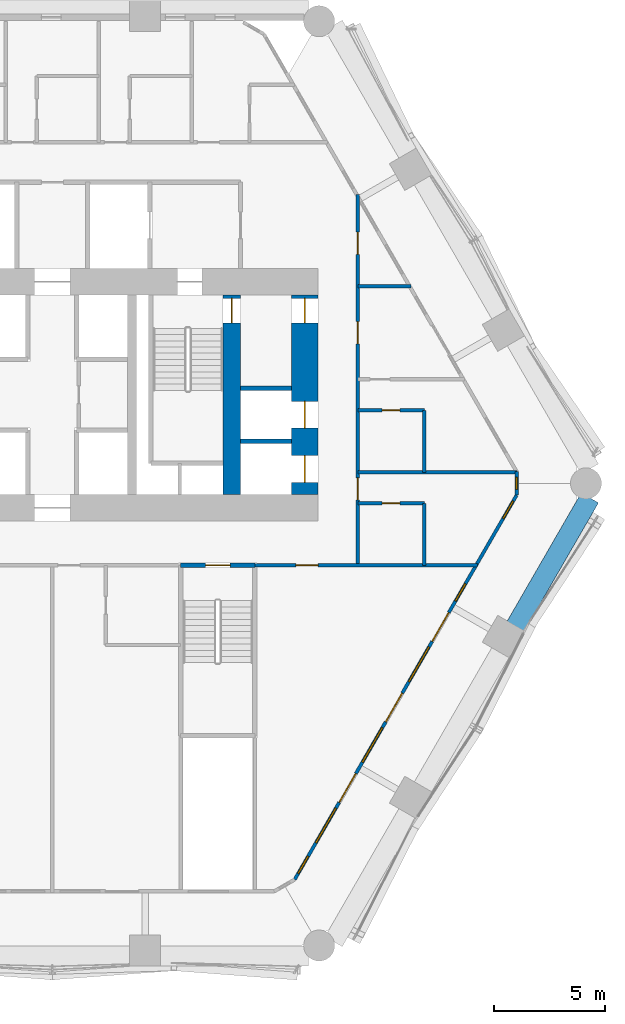
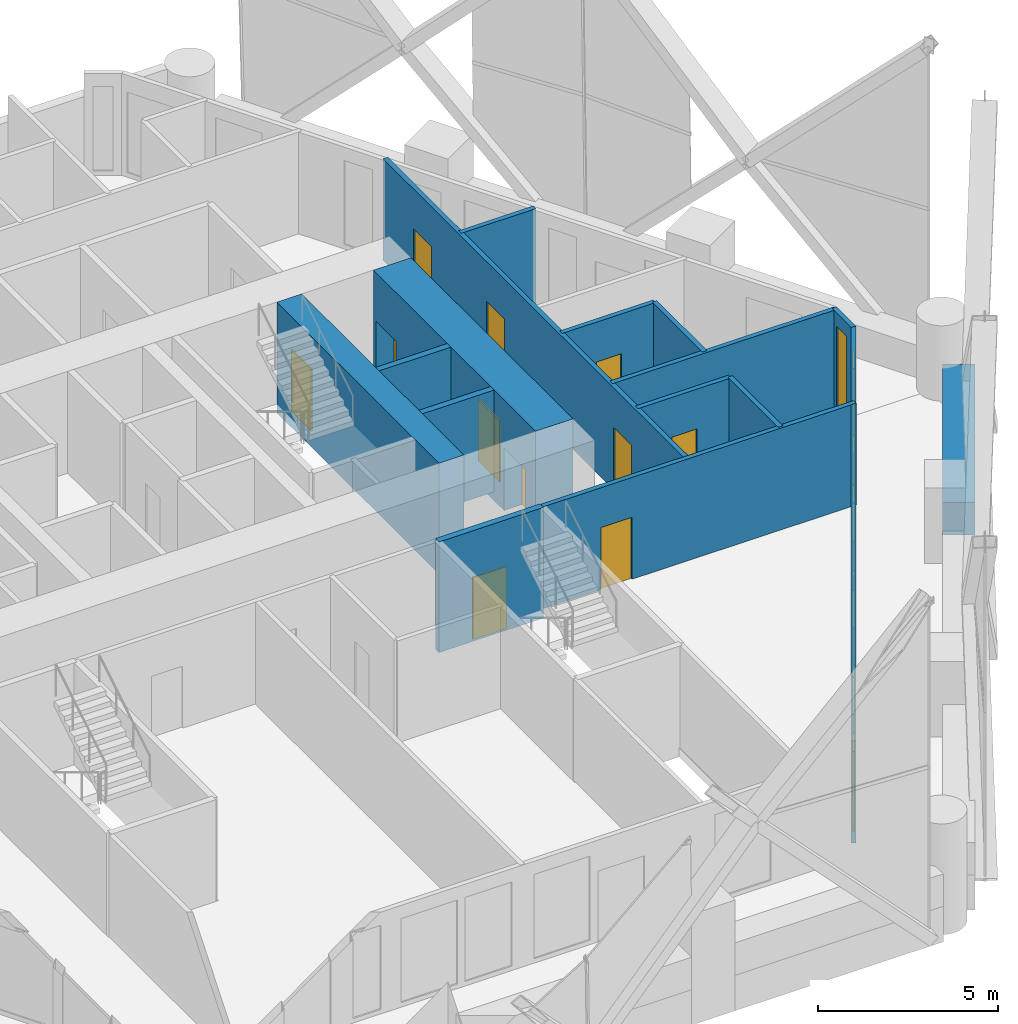
# One storey, part 13 of 22: 16 walls, 14 doors, 7 windows, 21 openings.
"""IFC4 building model written with IfcOpenShell, lengths in metres."""

from ifc_helpers import new_model, si_unit, direction, frame, frame_2d, origin, place, context, subcontext, project, spatial, rectangle, extrude, material, layer, layer_set, type_object, element, fill, save


model = new_model("IFC4")

# Units and contexts
model_context = context("Model", 3, precision=1e-05, world=origin(), true_north=direction((0.0, 1.0)))
body_context = subcontext(model_context, "Body", "Model", "MODEL_VIEW")
ifc_project = project(units=[si_unit("LENGTHUNIT", "METRE"), si_unit("AREAUNIT", "SQUARE_METRE"), si_unit("VOLUMEUNIT", "CUBIC_METRE"), si_unit("PLANEANGLEUNIT", "RADIAN"), si_unit("MASSUNIT", "GRAM", prefix="KILO")], contexts=[model_context])

# Site, building, storey
site_placement = place(None, origin())
site = spatial("IfcSite", under=ifc_project, at=site_placement, CompositionType="ELEMENT")
building_placement = place(site_placement, origin())
building = spatial("IfcBuilding", under=site, at=building_placement, Name="Ostrander Bayou Hotel Tower", CompositionType="ELEMENT")
storey_placement = place(building_placement, frame((0.0, 0.0, 35.5)))
storey = spatial("IfcBuildingStorey", under=building, at=storey_placement, Name="L08", CompositionType="ELEMENT", Elevation=35.5)

# Wall, openings, doors
ifc_material_1 = material(Name="Concrete f'c 70 MPa", Category="concrete")
ifc_layer_1 = layer(ifc_material_1, 1.199951171875)
ifc_layer_set_1 = layer_set([ifc_layer_1], Name="CW1 core wall 1200 mm f'c 70 MPa")
wall_type_1 = type_object("IfcWallType", Name="CW1 core wall 1200 mm f'c 70 MPa", PredefinedType="SHEAR", material=ifc_layer_set_1)
wall_1_placement = place(storey_placement, frame((11.39990234375, -0.5, -0.300048828125), z_axis=(0.0, 0.0, 1.0), x_axis=(0.0, 1.0, 0.0)))
wall_1 = element("IfcWall", 1, at=wall_1_placement, inside=storey, type_object=wall_type_1, Name="CW1 L08 RE", PredefinedType="SHEAR", context=body_context, shape_type="SweptSolid", body=[
    extrude(rectangle(XDim=9.0, YDim=1.199951171875, at=frame_2d((4.5, 0.0))), origin(), (0.0, 0.0, 1.0), 3.75),
])
opening_1_placement = place(wall_1_placement, frame((7.75, 0.0, 0.0)))
opening_1 = element("IfcOpeningElement", 2, at=opening_1_placement, cuts=wall_1, Name="Opening T06-018", PredefinedType="OPENING", context=body_context, shape_type="SweptSolid", body=[
    extrude(rectangle(XDim=1.10009765625, YDim=2.10009765625, at=frame_2d((0.550048828125, 1.050048828125))), frame((0.0, 0.60009765625, 0.0), z_axis=(0.0, -1.0, 0.0), x_axis=(1.0, 0.0, 0.0)), (0.0, 0.0, 1.0), 1.199951171875),
])
opening_2_placement = place(wall_1_placement, frame((0.550048828125, 0.0, 0.0)))
opening_2 = element("IfcOpeningElement", 3, at=opening_2_placement, cuts=wall_1, Name="Opening T06-019", PredefinedType="OPENING", context=body_context, shape_type="SweptSolid", body=[
    extrude(rectangle(XDim=1.199951171875, YDim=2.10009765625, at=frame_2d((0.60009765625, 1.050048828125))), frame((0.0, 0.60009765625, 0.0), z_axis=(0.0, -1.0, 0.0), x_axis=(1.0, 0.0, 0.0)), (0.0, 0.0, 1.0), 1.199951171875),
])
opening_3_placement = place(wall_1_placement, frame((3.0, 0.0, 0.0)))
opening_3 = element("IfcOpeningElement", 4, at=opening_3_placement, cuts=wall_1, Name="Opening T06-020", PredefinedType="OPENING", context=body_context, shape_type="SweptSolid", body=[
    extrude(rectangle(XDim=1.199951171875, YDim=2.10009765625, at=frame_2d((0.60009765625, 1.050048828125))), frame((0.0, 0.60009765625, 0.0), z_axis=(0.0, -1.0, 0.0), x_axis=(1.0, 0.0, 0.0)), (0.0, 0.0, 1.0), 1.199951171875),
])
ifc_material_2 = material(Name="Timber door leaf", Category="wood")
door_type_1 = type_object("IfcDoorType", Name="D5 stair door 1100 x 2100 mm, 90 minute", OperationType="SINGLE_SWING_LEFT", PredefinedType="DOOR", material=ifc_material_2)
door_1_placement = place(opening_1_placement, origin())
door_1 = element("IfcDoor", 5, at=door_1_placement, inside=storey, type_object=door_type_1, Name="dr:L08:018", OperationType="SINGLE_SWING_RIGHT", OverallHeight=2.10009765625, OverallWidth=1.10009765625, PredefinedType="DOOR", context=body_context, shape_type="SweptSolid", body=[
    extrude(rectangle(XDim=1.10009765625, YDim=2.10009765625, at=frame_2d((0.550048828125, 1.050048828125))), frame((0.0, 0.02490234375, 0.0), z_axis=(0.0, -1.0, 0.0), x_axis=(1.0, 0.0, 0.0)), (0.0, 0.0, 1.0), 0.050048828125),
])
fill(opening_1, door_1)
ifc_material_3 = material(Name="Stainless steel sliding door", Category="steel")
door_type_2 = type_object("IfcDoorType", Name="LD1 lift landing door 1200 x 2100 mm", OperationType="SINGLE_SWING_LEFT", PredefinedType="DOOR", material=ifc_material_3)
door_2_placement = place(opening_2_placement, origin())
door_2 = element("IfcDoor", 6, at=door_2_placement, inside=storey, type_object=door_type_2, Name="dr:L08:019", OperationType="SLIDING_TO_LEFT", OverallHeight=2.10009765625, OverallWidth=1.199951171875, PredefinedType="DOOR", context=body_context, shape_type="SweptSolid", body=[
    extrude(rectangle(XDim=1.199951171875, YDim=2.10009765625, at=frame_2d((0.60009765625, 1.050048828125))), frame((0.0, 0.02490234375, 0.0), z_axis=(0.0, -1.0, 0.0), x_axis=(1.0, 0.0, 0.0)), (0.0, 0.0, 1.0), 0.050048828125),
])
fill(opening_2, door_2)
door_3_placement = place(opening_3_placement, origin())
door_3 = element("IfcDoor", 7, at=door_3_placement, inside=storey, type_object=door_type_2, Name="dr:L08:020", OperationType="SLIDING_TO_LEFT", OverallHeight=2.10009765625, OverallWidth=1.199951171875, PredefinedType="DOOR", context=body_context, shape_type="SweptSolid", body=[
    extrude(rectangle(XDim=1.199951171875, YDim=2.10009765625, at=frame_2d((0.60009765625, 1.050048828125))), frame((0.0, 0.02490234375, 0.0), z_axis=(0.0, -1.0, 0.0), x_axis=(1.0, 0.0, 0.0)), (0.0, 0.0, 1.0), 0.050048828125),
])
fill(opening_3, door_3)

# Wall, opening, door
ifc_material_4 = material(Name="Concrete f'c 70 MPa", Category="concrete")
ifc_layer_2 = layer(ifc_material_4, 0.800048828125)
ifc_layer_set_2 = layer_set([ifc_layer_2], Name="CW2 core spine wall 800 mm f'c 70 MPa")
wall_type_2 = type_object("IfcWallType", Name="CW2 core spine wall 800 mm f'c 70 MPa", PredefinedType="SHEAR", material=ifc_layer_set_2)
wall_2_placement = place(storey_placement, frame((8.10009765625, -0.5, -0.300048828125), z_axis=(0.0, 0.0, 1.0), x_axis=(0.0, 1.0, 0.0)))
wall_2 = element("IfcWall", 8, at=wall_2_placement, inside=storey, type_object=wall_type_2, Name="CW2 L08 E", PredefinedType="SHEAR", context=body_context, shape_type="SweptSolid", body=[
    extrude(rectangle(XDim=9.0, YDim=0.800048828125, at=frame_2d((4.5, 0.0))), origin(), (0.0, 0.0, 1.0), 3.75),
])
opening_4_placement = place(wall_2_placement, frame((7.75, 0.0, 0.0)))
opening_4 = element("IfcOpeningElement", 9, at=opening_4_placement, cuts=wall_2, Name="Opening T06-006", PredefinedType="OPENING", context=body_context, shape_type="SweptSolid", body=[
    extrude(rectangle(XDim=1.10009765625, YDim=2.10009765625, at=frame_2d((0.550048828125, 1.050048828125))), frame((0.0, 0.39990234375, 0.0), z_axis=(0.0, -1.0, 0.0), x_axis=(1.0, 0.0, 0.0)), (0.0, 0.0, 1.0), 0.800048828125),
])
door_4_placement = place(opening_4_placement, origin())
door_4 = element("IfcDoor", 10, at=door_4_placement, inside=storey, type_object=door_type_1, Name="dr:L08:006", OperationType="SINGLE_SWING_LEFT", OverallHeight=2.10009765625, OverallWidth=1.10009765625, PredefinedType="DOOR", context=body_context, shape_type="SweptSolid", body=[
    extrude(rectangle(XDim=1.10009765625, YDim=2.10009765625, at=frame_2d((0.550048828125, 1.050048828125))), frame((0.0, 0.02490234375, 0.0), z_axis=(0.0, -1.0, 0.0), x_axis=(1.0, 0.0, 0.0)), (0.0, 0.0, 1.0), 0.050048828125),
])
fill(opening_4, door_4)

# Wall, openings, doors, windows
ifc_material_5 = material(Name="Aluminium framed insulated wall", Category="aluminium")
ifc_layer_3 = layer(ifc_material_5, 0.14990234375)
ifc_layer_set_3 = layer_set([ifc_layer_3], Name="GW1 glass-line wall 150 mm")
wall_type_3 = type_object("IfcWallType", Name="GW1 glass-line wall 150 mm", PredefinedType="SOLIDWALL", material=ifc_layer_set_3)
wall_3_placement = place(storey_placement, frame((10.945068359375, -17.892578125, 0.0), z_axis=(0.0, 0.0, 1.0), x_axis=(0.500003237297, 0.866023534722, 0.0)))
wall_3 = element("IfcWall", 11, at=wall_3_placement, inside=storey, type_object=wall_type_3, Name="GW1 L08 SE 1", PredefinedType="SOLIDWALL", context=body_context, shape_type="SweptSolid", body=[
    extrude(rectangle(XDim=20.045654296875, YDim=0.14990234375, at=frame_2d((10.02294921875, 0.0))), origin(), (0.0, 0.0, 1.0), 3.449951171875),
])
opening_5_placement = place(wall_3_placement, frame((1.9228515625, 0.0, 0.14990234375)))
opening_5 = element("IfcOpeningElement", 12, at=opening_5_placement, cuts=wall_3, Name="Opening W1", PredefinedType="OPENING", context=body_context, shape_type="SweptSolid", body=[
    extrude(rectangle(XDim=1.800048828125, YDim=2.85009765625, at=frame_2d((0.89990234375, 1.425048828125))), frame((0.0, 0.074951171875, 0.0), z_axis=(0.0, -1.0, 0.0), x_axis=(1.0, 0.0, 0.0)), (0.0, 0.0, 1.0), 0.14990234375),
])
opening_6_placement = place(wall_3_placement, frame((4.022705078125, 0.0, 0.0)))
opening_6 = element("IfcOpeningElement", 13, at=opening_6_placement, cuts=wall_3, Name="Opening T06-805", PredefinedType="OPENING", context=body_context, shape_type="SweptSolid", body=[
    extrude(rectangle(XDim=1.5, YDim=2.39990234375, at=frame_2d((0.75, 1.199951171875))), frame((0.0, 0.074951171875, 0.0), z_axis=(0.0, -1.0, 0.0), x_axis=(1.0, 0.0, 0.0)), (0.0, 0.0, 1.0), 0.14990234375),
])
opening_7_placement = place(wall_3_placement, frame((6.122802734375, 0.0, 0.14990234375)))
opening_7 = element("IfcOpeningElement", 14, at=opening_7_placement, cuts=wall_3, Name="Opening W1", PredefinedType="OPENING", context=body_context, shape_type="SweptSolid", body=[
    extrude(rectangle(XDim=1.800048828125, YDim=2.85009765625, at=frame_2d((0.89990234375, 1.425048828125))), frame((0.0, 0.074951171875, 0.0), z_axis=(0.0, -1.0, 0.0), x_axis=(1.0, 0.0, 0.0)), (0.0, 0.0, 1.0), 0.14990234375),
])
opening_8_placement = place(wall_3_placement, frame((8.222900390625, 0.0, 0.0)))
opening_8 = element("IfcOpeningElement", 15, at=opening_8_placement, cuts=wall_3, Name="Opening T06-806", PredefinedType="OPENING", context=body_context, shape_type="SweptSolid", body=[
    extrude(rectangle(XDim=1.5, YDim=2.39990234375, at=frame_2d((0.75, 1.199951171875))), frame((0.0, 0.074951171875, 0.0), z_axis=(0.0, -1.0, 0.0), x_axis=(1.0, 0.0, 0.0)), (0.0, 0.0, 1.0), 0.14990234375),
])
opening_9_placement = place(wall_3_placement, frame((10.32275390625, 0.0, 0.14990234375)))
opening_9 = element("IfcOpeningElement", 16, at=opening_9_placement, cuts=wall_3, Name="Opening W1", PredefinedType="OPENING", context=body_context, shape_type="SweptSolid", body=[
    extrude(rectangle(XDim=1.800048828125, YDim=2.85009765625, at=frame_2d((0.89990234375, 1.425048828125))), frame((0.0, 0.074951171875, 0.0), z_axis=(0.0, -1.0, 0.0), x_axis=(1.0, 0.0, 0.0)), (0.0, 0.0, 1.0), 0.14990234375),
])
opening_10_placement = place(wall_3_placement, frame((12.4228515625, 0.0, 0.0)))
opening_10 = element("IfcOpeningElement", 17, at=opening_10_placement, cuts=wall_3, Name="Opening T06-807", PredefinedType="OPENING", context=body_context, shape_type="SweptSolid", body=[
    extrude(rectangle(XDim=1.5, YDim=2.39990234375, at=frame_2d((0.75, 1.199951171875))), frame((0.0, 0.074951171875, 0.0), z_axis=(0.0, -1.0, 0.0), x_axis=(1.0, 0.0, 0.0)), (0.0, 0.0, 1.0), 0.14990234375),
])
opening_11_placement = place(wall_3_placement, frame((14.522705078125, 0.0, 0.14990234375)))
opening_11 = element("IfcOpeningElement", 18, at=opening_11_placement, cuts=wall_3, Name="Opening W15", PredefinedType="OPENING", context=body_context, shape_type="SweptSolid", body=[
    extrude(rectangle(XDim=0.89990234375, YDim=2.85009765625, at=frame_2d((0.449951171875, 1.425048828125))), frame((0.0, 0.074951171875, 0.0), z_axis=(0.0, -1.0, 0.0), x_axis=(1.0, 0.0, 0.0)), (0.0, 0.0, 1.0), 0.14990234375),
])
opening_12_placement = place(wall_3_placement, frame((0.311279296875, 0.0, 0.14990234375)))
opening_12 = element("IfcOpeningElement", 19, at=opening_12_placement, cuts=wall_3, Name="Opening W15", PredefinedType="OPENING", context=body_context, shape_type="SweptSolid", body=[
    extrude(rectangle(XDim=0.89990234375, YDim=2.72998046875, at=frame_2d((0.449951171875, 1.364990234375))), frame((0.0, 0.074951171875, 0.0), z_axis=(0.0, -1.0, 0.0), x_axis=(1.0, 0.0, 0.0)), (0.0, 0.0, 1.0), 0.14990234375),
])
opening_13_placement = place(wall_3_placement, frame((18.834228515625, 0.0, 0.14990234375)))
opening_13 = element("IfcOpeningElement", 20, at=opening_13_placement, cuts=wall_3, Name="Opening W15", PredefinedType="OPENING", context=body_context, shape_type="SweptSolid", body=[
    extrude(rectangle(XDim=0.89990234375, YDim=2.72998046875, at=frame_2d((0.449951171875, 1.364990234375))), frame((0.0, 0.074951171875, 0.0), z_axis=(0.0, -1.0, 0.0), x_axis=(1.0, 0.0, 0.0)), (0.0, 0.0, 1.0), 0.14990234375),
])
ifc_material_6 = material(Name="Aluminium and clear glass", Category="aluminium")
door_type_3 = type_object("IfcDoorType", Name="SD1 sliding glass door 1500 mm, zone 1", OperationType="SLIDING_TO_LEFT", PredefinedType="DOOR", material=ifc_material_6)
door_5_placement = place(opening_6_placement, origin())
door_5 = element("IfcDoor", 21, at=door_5_placement, inside=storey, type_object=door_type_3, Name="SD1 L08 SE 1", OperationType="SLIDING_TO_LEFT", OverallHeight=2.39990234375, OverallWidth=1.5, PredefinedType="DOOR", context=body_context, shape_type="SweptSolid", body=[
    extrude(rectangle(XDim=1.5, YDim=2.39990234375, at=frame_2d((0.75, 1.199951171875))), frame((0.0, 0.02490234375, 0.0), z_axis=(0.0, -1.0, 0.0), x_axis=(1.0, 0.0, 0.0)), (0.0, 0.0, 1.0), 0.050048828125),
])
fill(opening_6, door_5)
door_6_placement = place(opening_8_placement, origin())
door_6 = element("IfcDoor", 22, at=door_6_placement, inside=storey, type_object=door_type_3, Name="SD1 L08 SE 2", OperationType="SLIDING_TO_RIGHT", OverallHeight=2.39990234375, OverallWidth=1.5, PredefinedType="DOOR", context=body_context, shape_type="SweptSolid", body=[
    extrude(rectangle(XDim=1.5, YDim=2.39990234375, at=frame_2d((0.75, 1.199951171875))), frame((0.0, 0.02490234375, 0.0), z_axis=(0.0, -1.0, 0.0), x_axis=(1.0, 0.0, 0.0)), (0.0, 0.0, 1.0), 0.050048828125),
])
fill(opening_8, door_6)
door_7_placement = place(opening_10_placement, origin())
door_7 = element("IfcDoor", 23, at=door_7_placement, inside=storey, type_object=door_type_3, Name="SD1 L08 SE 3", OperationType="SLIDING_TO_LEFT", OverallHeight=2.39990234375, OverallWidth=1.5, PredefinedType="DOOR", context=body_context, shape_type="SweptSolid", body=[
    extrude(rectangle(XDim=1.5, YDim=2.39990234375, at=frame_2d((0.75, 1.199951171875))), frame((0.0, 0.02490234375, 0.0), z_axis=(0.0, -1.0, 0.0), x_axis=(1.0, 0.0, 0.0)), (0.0, 0.0, 1.0), 0.050048828125),
])
fill(opening_10, door_7)
ifc_material_7 = material(Name="Aluminium and clear glass", Category="aluminium")
window_type_1 = type_object("IfcWindowType", Name="W1 fixed window 1800 mm, zone 1", PartitioningType="SINGLE_PANEL", PredefinedType="WINDOW", material=ifc_material_7)
window_1_placement = place(opening_5_placement, origin())
window_1 = element("IfcWindow", 24, at=window_1_placement, inside=storey, type_object=window_type_1, Name="W1 L08 SE 1", OverallHeight=2.85009765625, OverallWidth=1.800048828125, PartitioningType="SINGLE_PANEL", PredefinedType="WINDOW", context=body_context, shape_type="SweptSolid", body=[
    extrude(rectangle(XDim=1.800048828125, YDim=2.85009765625, at=frame_2d((0.89990234375, 1.425048828125))), frame((0.0, 0.030029296875, 0.0), z_axis=(0.0, -1.0, 0.0), x_axis=(1.0, 0.0, 0.0)), (0.0, 0.0, 1.0), 0.06005859375),
])
fill(opening_5, window_1)
window_2_placement = place(opening_7_placement, origin())
window_2 = element("IfcWindow", 25, at=window_2_placement, inside=storey, type_object=window_type_1, Name="W1 L08 SE 2", OverallHeight=2.85009765625, OverallWidth=1.800048828125, PartitioningType="SINGLE_PANEL", PredefinedType="WINDOW", context=body_context, shape_type="SweptSolid", body=[
    extrude(rectangle(XDim=1.800048828125, YDim=2.85009765625, at=frame_2d((0.89990234375, 1.425048828125))), frame((0.0, 0.030029296875, 0.0), z_axis=(0.0, -1.0, 0.0), x_axis=(1.0, 0.0, 0.0)), (0.0, 0.0, 1.0), 0.06005859375),
])
fill(opening_7, window_2)
window_3_placement = place(opening_9_placement, origin())
window_3 = element("IfcWindow", 26, at=window_3_placement, inside=storey, type_object=window_type_1, Name="W1 L08 SE 3", OverallHeight=2.85009765625, OverallWidth=1.800048828125, PartitioningType="SINGLE_PANEL", PredefinedType="WINDOW", context=body_context, shape_type="SweptSolid", body=[
    extrude(rectangle(XDim=1.800048828125, YDim=2.85009765625, at=frame_2d((0.89990234375, 1.425048828125))), frame((0.0, 0.030029296875, 0.0), z_axis=(0.0, -1.0, 0.0), x_axis=(1.0, 0.0, 0.0)), (0.0, 0.0, 1.0), 0.06005859375),
])
fill(opening_9, window_3)
ifc_material_8 = material(Name="Aluminium and clear glass", Category="aluminium")
window_type_2 = type_object("IfcWindowType", Name="W15 window 900 mm, zone 1", PartitioningType="SINGLE_PANEL", PredefinedType="WINDOW", material=ifc_material_8)
window_4_placement = place(opening_11_placement, origin())
window_4 = element("IfcWindow", 27, at=window_4_placement, inside=storey, type_object=window_type_2, Name="W15 L08 SE 4", OverallHeight=2.85009765625, OverallWidth=0.89990234375, PartitioningType="SINGLE_PANEL", PredefinedType="WINDOW", context=body_context, shape_type="SweptSolid", body=[
    extrude(rectangle(XDim=0.89990234375, YDim=2.85009765625, at=frame_2d((0.449951171875, 1.425048828125))), frame((0.0, 0.030029296875, 0.0), z_axis=(0.0, -1.0, 0.0), x_axis=(1.0, 0.0, 0.0)), (0.0, 0.0, 1.0), 0.06005859375),
])
fill(opening_11, window_4)
window_5_placement = place(opening_12_placement, origin())
window_5 = element("IfcWindow", 28, at=window_5_placement, inside=storey, type_object=window_type_2, Name="W15 L08 SE E11", OverallHeight=2.72998046875, OverallWidth=0.89990234375, PartitioningType="SINGLE_PANEL", PredefinedType="WINDOW", context=body_context, shape_type="SweptSolid", body=[
    extrude(rectangle(XDim=0.89990234375, YDim=2.72998046875, at=frame_2d((0.449951171875, 1.364990234375))), frame((0.0, 0.030029296875, 0.0), z_axis=(0.0, -1.0, 0.0), x_axis=(1.0, 0.0, 0.0)), (0.0, 0.0, 1.0), 0.06005859375),
])
fill(opening_12, window_5)
window_6_placement = place(opening_13_placement, origin())
window_6 = element("IfcWindow", 29, at=window_6_placement, inside=storey, type_object=window_type_2, Name="W15 L08 SE E21", OverallHeight=2.72998046875, OverallWidth=0.89990234375, PartitioningType="SINGLE_PANEL", PredefinedType="WINDOW", context=body_context, shape_type="SweptSolid", body=[
    extrude(rectangle(XDim=0.89990234375, YDim=2.72998046875, at=frame_2d((0.449951171875, 1.364990234375))), frame((0.0, 0.030029296875, 0.0), z_axis=(0.0, -1.0, 0.0), x_axis=(1.0, 0.0, 0.0)), (0.0, 0.0, 1.0), 0.06005859375),
])
fill(opening_13, window_6)

# Wall, opening, window
wall_4_placement = place(storey_placement, frame((20.968017578125, -0.532470703125, 0.0), z_axis=(0.0, 0.0, 1.0), x_axis=(0.0, 1.0, 0.0)))
wall_4 = element("IfcWall", 30, at=wall_4_placement, inside=storey, type_object=wall_type_3, Name="GW1 L08 corner 5", PredefinedType="SOLIDWALL", context=body_context, shape_type="SweptSolid", body=[
    extrude(rectangle(XDim=1.06494140625, YDim=0.14990234375, at=frame_2d((0.532470703125, 0.0))), origin(), (0.0, 0.0, 1.0), 3.449951171875),
])
opening_14_placement = place(wall_4_placement, frame((0.257568359375, 0.0, 0.14990234375)))
opening_14 = element("IfcOpeningElement", 31, at=opening_14_placement, cuts=wall_4, Name="Opening W19", PredefinedType="OPENING", context=body_context, shape_type="SweptSolid", body=[
    extrude(rectangle(XDim=0.550048828125, YDim=2.85009765625, at=frame_2d((0.27490234375, 1.425048828125))), frame((0.0, 0.074951171875, 0.0), z_axis=(0.0, -1.0, 0.0), x_axis=(1.0, 0.0, 0.0)), (0.0, 0.0, 1.0), 0.14990234375),
])
ifc_material_9 = material(Name="Aluminium and clear glass", Category="aluminium")
window_type_3 = type_object("IfcWindowType", Name="W19 corner window 550 mm", PartitioningType="SINGLE_PANEL", PredefinedType="WINDOW", material=ifc_material_9)
window_7_placement = place(opening_14_placement, origin())
window_7 = element("IfcWindow", 32, at=window_7_placement, inside=storey, type_object=window_type_3, Name="W19 L08 corner 5", OverallHeight=2.85009765625, OverallWidth=0.550048828125, PartitioningType="SINGLE_PANEL", PredefinedType="WINDOW", context=body_context, shape_type="SweptSolid", body=[
    extrude(rectangle(XDim=0.550048828125, YDim=2.85009765625, at=frame_2d((0.27490234375, 1.425048828125))), frame((0.0, 0.030029296875, 0.0), z_axis=(0.0, -1.0, 0.0), x_axis=(1.0, 0.0, 0.0)), (0.0, 0.0, 1.0), 0.06005859375),
])
fill(opening_14, window_7)

# Walls
ifc_material_10 = material(Name="Limestone masonry", Category="masonry")
ifc_layer_4 = layer(ifc_material_10, 0.89990234375)
ifc_layer_set_4 = layer_set([ifc_layer_4], Name="PA2 limestone parapet 900 mm")
wall_type_4 = type_object("IfcWallType", Name="PA2 limestone parapet 900 mm", PredefinedType="PARAPET", material=ifc_layer_set_4)
wall_5_placement = place(storey_placement, frame((20.92236328125, -6.46142578125, 0.0), z_axis=(0.0, 0.0, 1.0), x_axis=(0.500005133765, 0.866022439784, 0.0)))
element("IfcWall", 33, at=wall_5_placement, inside=storey, type_object=wall_type_4, Name="PA2 L08 SE-3", PredefinedType="PARAPET", context=body_context, shape_type="SweptSolid", body=[
    extrude(rectangle(XDim=6.70361328125, YDim=0.89990234375, at=frame_2d((3.351806640625, 0.0))), origin(), (0.0, 0.0, 1.0), 1.10009765625),
])
ifc_material_11 = material(Name="Masonry block", Category="masonry")
ifc_layer_5 = layer(ifc_material_11, 0.199951171875)
ifc_layer_set_5 = layer_set([ifc_layer_5], Name="PT6 lift shaft wall 200 mm masonry, 2 hour")
wall_type_5 = type_object("IfcWallType", Name="PT6 lift shaft wall 200 mm masonry, 2 hour", PredefinedType="PARTITIONING", material=ifc_layer_set_5)
for number, where, z_axis, x_axis, name in (
    (34, (8.5, 1.89990234375, 0.0), (0.0, 0.0, 1.0), (1.0, 0.0, 0.0), "cs:L08:035"),
    (35, (8.5, 4.300048828125, 0.0), (0.0, 0.0, 1.0), (1.0, 0.0, 0.0), "cs:L08:036"),
):
    element("IfcWall", number, at=place(storey_placement, frame(where, z_axis=z_axis, x_axis=x_axis)), inside=storey, type_object=wall_type_5, Name=name, PredefinedType="PARTITIONING", context=body_context, shape_type="SweptSolid", body=[
        extrude(rectangle(XDim=2.300048828125, YDim=0.199951171875, at=frame_2d((1.14990234375, 0.0))), origin(), (0.0, 0.0, 1.0), 3.449951171875),
    ])

# Wall, opening, door
ifc_material_12 = material(Name="Gypsum board partition", Category="finish")
ifc_layer_6 = layer(ifc_material_12, 0.14990234375)
ifc_layer_set_6 = layer_set([ifc_layer_6], Name="PT8 service band wall 150 mm, 1 hour")
wall_type_6 = type_object("IfcWallType", Name="PT8 service band wall 150 mm, 1 hour", PredefinedType="PARTITIONING", material=ifc_layer_set_6)
wall_6_placement = place(storey_placement, frame((9.159912109375, -3.699951171875, 0.0), z_axis=(0.0, 0.0, 1.0), x_axis=(1.0, 0.0, 0.0)))
wall_6 = element("IfcWall", 36, at=wall_6_placement, inside=storey, type_object=wall_type_6, Name="gw:L08:004", PredefinedType="PARTITIONING", context=body_context, shape_type="SweptSolid", body=[
    extrude(rectangle(XDim=10.031005859375, YDim=0.14990234375, at=frame_2d((5.015625, 0.0))), origin(), (0.0, 0.0, 1.0), 3.449951171875),
])
opening_15_placement = place(wall_6_placement, frame((1.840087890625, 0.0, 0.0)))
opening_15 = element("IfcOpeningElement", 37, at=opening_15_placement, cuts=wall_6, Name="Opening T06-404", PredefinedType="OPENING", context=body_context, shape_type="SweptSolid", body=[
    extrude(rectangle(XDim=1.0, YDim=2.10009765625, at=frame_2d((0.5, 1.050048828125))), frame((0.0, 0.074951171875, 0.0), z_axis=(0.0, -1.0, 0.0), x_axis=(1.0, 0.0, 0.0)), (0.0, 0.0, 1.0), 0.14990234375),
])
ifc_material_13 = material(Name="Timber door leaf", Category="wood")
door_type_4 = type_object("IfcDoorType", Name="D15 room door 1000 x 2100 mm", OperationType="SINGLE_SWING_LEFT", PredefinedType="DOOR", material=ifc_material_13)
door_8_placement = place(opening_15_placement, origin())
door_8 = element("IfcDoor", 38, at=door_8_placement, inside=storey, type_object=door_type_4, Name="dr:L08:404", OperationType="SINGLE_SWING_LEFT", OverallHeight=2.10009765625, OverallWidth=1.0, PredefinedType="DOOR", context=body_context, shape_type="SweptSolid", body=[
    extrude(rectangle(XDim=1.0, YDim=2.10009765625, at=frame_2d((0.5, 1.050048828125))), frame((0.0, 0.02490234375, 0.0), z_axis=(0.0, -1.0, 0.0), x_axis=(1.0, 0.0, 0.0)), (0.0, 0.0, 1.0), 0.050048828125),
])
fill(opening_15, door_8)

wall_7_placement = place(storey_placement, frame((13.800048828125, -0.89990234375, 0.0), z_axis=(0.0, 0.0, 1.0), x_axis=(1.0, 0.0, 0.0)))
wall_7 = element("IfcWall", 39, at=wall_7_placement, inside=storey, type_object=wall_type_6, Name="gw:L08:006", PredefinedType="PARTITIONING", context=body_context, shape_type="SweptSolid", body=[
    extrude(rectangle(XDim=3.0, YDim=0.14990234375, at=frame_2d((1.5, 0.0))), origin(), (0.0, 0.0, 1.0), 3.449951171875),
])
opening_16_placement = place(wall_7_placement, frame((1.10009765625, 0.0, 0.0)))
opening_16 = element("IfcOpeningElement", 40, at=opening_16_placement, cuts=wall_7, Name="Opening T06-410", PredefinedType="OPENING", context=body_context, shape_type="SweptSolid", body=[
    extrude(rectangle(XDim=0.800048828125, YDim=2.10009765625, at=frame_2d((0.39990234375, 1.050048828125))), frame((0.0, 0.074951171875, 0.0), z_axis=(0.0, -1.0, 0.0), x_axis=(1.0, 0.0, 0.0)), (0.0, 0.0, 1.0), 0.14990234375),
])
ifc_material_14 = material(Name="Timber door leaf", Category="wood")
door_type_5 = type_object("IfcDoorType", Name="D2 bathroom door 800 x 2100 mm", OperationType="SINGLE_SWING_LEFT", PredefinedType="DOOR", material=ifc_material_14)
door_9_placement = place(opening_16_placement, origin())
door_9 = element("IfcDoor", 41, at=door_9_placement, inside=storey, type_object=door_type_5, Name="dr:L08:410", OperationType="SINGLE_SWING_LEFT", OverallHeight=2.10009765625, OverallWidth=0.800048828125, PredefinedType="DOOR", context=body_context, shape_type="SweptSolid", body=[
    extrude(rectangle(XDim=0.800048828125, YDim=2.10009765625, at=frame_2d((0.39990234375, 1.050048828125))), frame((0.0, 0.02490234375, 0.0), z_axis=(0.0, -1.0, 0.0), x_axis=(1.0, 0.0, 0.0)), (0.0, 0.0, 1.0), 0.050048828125),
])
fill(opening_16, door_9)

# Wall
wall_8_placement = place(storey_placement, frame((13.800048828125, 0.5, 0.0), z_axis=(0.0, 0.0, 1.0), x_axis=(1.0, 0.0, 0.0)))
element("IfcWall", 42, at=wall_8_placement, inside=storey, type_object=wall_type_6, Name="gw:L08:008", PredefinedType="PARTITIONING", context=body_context, shape_type="SweptSolid", body=[
    extrude(rectangle(XDim=7.18603515625, YDim=0.14990234375, at=frame_2d((3.593017578125, 0.0))), origin(), (0.0, 0.0, 1.0), 3.449951171875),
])

# Wall, opening, door
wall_9_placement = place(storey_placement, frame((13.800048828125, 3.300048828125, 0.0), z_axis=(0.0, 0.0, 1.0), x_axis=(1.0, 0.0, 0.0)))
wall_9 = element("IfcWall", 43, at=wall_9_placement, inside=storey, type_object=wall_type_6, Name="gw:L08:009", PredefinedType="PARTITIONING", context=body_context, shape_type="SweptSolid", body=[
    extrude(rectangle(XDim=3.0, YDim=0.14990234375, at=frame_2d((1.5, 0.0))), origin(), (0.0, 0.0, 1.0), 3.449951171875),
])
opening_17_placement = place(wall_9_placement, frame((1.10009765625, 0.0, 0.0)))
opening_17 = element("IfcOpeningElement", 44, at=opening_17_placement, cuts=wall_9, Name="Opening T06-413", PredefinedType="OPENING", context=body_context, shape_type="SweptSolid", body=[
    extrude(rectangle(XDim=0.800048828125, YDim=2.10009765625, at=frame_2d((0.39990234375, 1.050048828125))), frame((0.0, 0.074951171875, 0.0), z_axis=(0.0, -1.0, 0.0), x_axis=(1.0, 0.0, 0.0)), (0.0, 0.0, 1.0), 0.14990234375),
])
door_10_placement = place(opening_17_placement, origin())
door_10 = element("IfcDoor", 45, at=door_10_placement, inside=storey, type_object=door_type_5, Name="dr:L08:413", OperationType="SINGLE_SWING_LEFT", OverallHeight=2.10009765625, OverallWidth=0.800048828125, PredefinedType="DOOR", context=body_context, shape_type="SweptSolid", body=[
    extrude(rectangle(XDim=0.800048828125, YDim=2.10009765625, at=frame_2d((0.39990234375, 1.050048828125))), frame((0.0, 0.02490234375, 0.0), z_axis=(0.0, -1.0, 0.0), x_axis=(1.0, 0.0, 0.0)), (0.0, 0.0, 1.0), 0.050048828125),
])
fill(opening_17, door_10)

# Walls
wall_10_placement = place(storey_placement, frame((13.800048828125, 8.89990234375, 0.0), z_axis=(0.0, 0.0, 1.0), x_axis=(1.0, 0.0, 0.0)))
element("IfcWall", 46, at=wall_10_placement, inside=storey, type_object=wall_type_6, Name="gw:L08:012", PredefinedType="PARTITIONING", context=body_context, shape_type="SweptSolid", body=[
    extrude(rectangle(XDim=2.388916015625, YDim=0.14990234375, at=frame_2d((1.1943359375, 0.0))), origin(), (0.0, 0.0, 1.0), 3.449951171875),
])
for number, where, z_axis, x_axis, name in (
    (47, (16.800048828125, -3.699951171875, 0.0), (0.0, 0.0, 1.0), (0.0, 1.0, 0.0), "gw:L08:020"),
    (48, (16.800048828125, 0.5, 0.0), (0.0, 0.0, 1.0), (0.0, 1.0, 0.0), "gw:L08:021"),
):
    element("IfcWall", number, at=place(storey_placement, frame(where, z_axis=z_axis, x_axis=x_axis)), inside=storey, type_object=wall_type_6, Name=name, PredefinedType="PARTITIONING", context=body_context, shape_type="SweptSolid", body=[
        extrude(rectangle(XDim=2.800048828125, YDim=0.14990234375, at=frame_2d((1.39990234375, 0.0))), origin(), (0.0, 0.0, 1.0), 3.449951171875),
    ])

# Wall, openings, doors
wall_11_placement = place(storey_placement, frame((13.800048828125, -3.699951171875, 0.0), z_axis=(0.0, 0.0, 1.0), x_axis=(0.0, 1.0, 0.0)))
wall_11 = element("IfcWall", 49, at=wall_11_placement, inside=storey, type_object=wall_type_6, Name="gw:L08:022", PredefinedType="PARTITIONING", context=body_context, shape_type="SweptSolid", body=[
    extrude(rectangle(XDim=16.738037109375, YDim=0.14990234375, at=frame_2d((8.369140625, 0.0))), origin(), (0.0, 0.0, 1.0), 3.449951171875),
])
opening_18_placement = place(wall_11_placement, frame((2.949951171875, 0.0, 0.0)))
opening_18 = element("IfcOpeningElement", 50, at=opening_18_placement, cuts=wall_11, Name="Opening T06-409", PredefinedType="OPENING", context=body_context, shape_type="SweptSolid", body=[
    extrude(rectangle(XDim=1.0, YDim=2.10009765625, at=frame_2d((0.5, 1.050048828125))), frame((0.0, 0.074951171875, 0.0), z_axis=(0.0, -1.0, 0.0), x_axis=(1.0, 0.0, 0.0)), (0.0, 0.0, 1.0), 0.14990234375),
])
opening_19_placement = place(wall_11_placement, frame((10.0, 0.0, 0.0)))
opening_19 = element("IfcOpeningElement", 51, at=opening_19_placement, cuts=wall_11, Name="Opening T06-411", PredefinedType="OPENING", context=body_context, shape_type="SweptSolid", body=[
    extrude(rectangle(XDim=1.0, YDim=2.10009765625, at=frame_2d((0.5, 1.050048828125))), frame((0.0, 0.074951171875, 0.0), z_axis=(0.0, -1.0, 0.0), x_axis=(1.0, 0.0, 0.0)), (0.0, 0.0, 1.0), 0.14990234375),
])
opening_20_placement = place(wall_11_placement, frame((14.047119140625, 0.0, 0.0)))
opening_20 = element("IfcOpeningElement", 52, at=opening_20_placement, cuts=wall_11, Name="Opening T06-414", PredefinedType="OPENING", context=body_context, shape_type="SweptSolid", body=[
    extrude(rectangle(XDim=1.0, YDim=2.10009765625, at=frame_2d((0.5, 1.050048828125))), frame((0.0, 0.074951171875, 0.0), z_axis=(0.0, -1.0, 0.0), x_axis=(1.0, 0.0, 0.0)), (0.0, 0.0, 1.0), 0.14990234375),
])
ifc_material_15 = material(Name="Timber door leaf", Category="wood")
door_type_6 = type_object("IfcDoorType", Name="D1 guest room door 1000 x 2100 mm, 30 minute", OperationType="SINGLE_SWING_LEFT", PredefinedType="DOOR", material=ifc_material_15)
door_11_placement = place(opening_18_placement, origin())
door_11 = element("IfcDoor", 53, at=door_11_placement, inside=storey, type_object=door_type_6, Name="dr:L08:409", OperationType="SINGLE_SWING_RIGHT", OverallHeight=2.10009765625, OverallWidth=1.0, PredefinedType="DOOR", context=body_context, shape_type="SweptSolid", body=[
    extrude(rectangle(XDim=1.0, YDim=2.10009765625, at=frame_2d((0.5, 1.050048828125))), frame((0.0, 0.02490234375, 0.0), z_axis=(0.0, -1.0, 0.0), x_axis=(1.0, 0.0, 0.0)), (0.0, 0.0, 1.0), 0.050048828125),
])
fill(opening_18, door_11)
door_12_placement = place(opening_19_placement, origin())
door_12 = element("IfcDoor", 54, at=door_12_placement, inside=storey, type_object=door_type_6, Name="dr:L08:411", OperationType="SINGLE_SWING_RIGHT", OverallHeight=2.10009765625, OverallWidth=1.0, PredefinedType="DOOR", context=body_context, shape_type="SweptSolid", body=[
    extrude(rectangle(XDim=1.0, YDim=2.10009765625, at=frame_2d((0.5, 1.050048828125))), frame((0.0, 0.02490234375, 0.0), z_axis=(0.0, -1.0, 0.0), x_axis=(1.0, 0.0, 0.0)), (0.0, 0.0, 1.0), 0.050048828125),
])
fill(opening_19, door_12)
ifc_material_16 = material(Name="Timber door leaf", Category="wood")
door_type_7 = type_object("IfcDoorType", Name="D9 service door 1000 x 2100 mm, 30 minute", OperationType="SINGLE_SWING_LEFT", PredefinedType="DOOR", material=ifc_material_16)
door_13_placement = place(opening_20_placement, origin())
door_13 = element("IfcDoor", 55, at=door_13_placement, inside=storey, type_object=door_type_7, Name="dr:L08:414", OperationType="SINGLE_SWING_LEFT", OverallHeight=2.10009765625, OverallWidth=1.0, PredefinedType="DOOR", context=body_context, shape_type="SweptSolid", body=[
    extrude(rectangle(XDim=1.0, YDim=2.10009765625, at=frame_2d((0.5, 1.050048828125))), frame((0.0, 0.02490234375, 0.0), z_axis=(0.0, -1.0, 0.0), x_axis=(1.0, 0.0, 0.0)), (0.0, 0.0, 1.0), 0.050048828125),
])
fill(opening_20, door_13)

# Wall, opening, door
ifc_material_17 = material(Name="Concrete f'c 45 MPa", Category="concrete")
ifc_layer_7 = layer(ifc_material_17, 0.199951171875)
ifc_layer_set_7 = layer_set([ifc_layer_7], Name="SW5 stair enclosure wall 200 mm f'c 45 MPa")
wall_type_7 = type_object("IfcWallType", Name="SW5 stair enclosure wall 200 mm f'c 45 MPa", PredefinedType="SOLIDWALL", material=ifc_layer_set_7)
wall_12_placement = place(storey_placement, frame((5.800048828125, -3.699951171875, -0.300048828125), z_axis=(0.0, 0.0, 1.0), x_axis=(1.0, 0.0, 0.0)))
wall_12 = element("IfcWall", 56, at=wall_12_placement, inside=storey, type_object=wall_type_7, Name="cs:L08:015", PredefinedType="SOLIDWALL", context=body_context, shape_type="SweptSolid", body=[
    extrude(rectangle(XDim=3.349853515625, YDim=0.199951171875, at=frame_2d((1.6748046875, 0.0))), origin(), (0.0, 0.0, 1.0), 3.75),
])
opening_21_placement = place(wall_12_placement, frame((1.125, 0.0, 0.0)))
opening_21 = element("IfcOpeningElement", 57, at=opening_21_placement, cuts=wall_12, Name="Opening T06-007", PredefinedType="OPENING", context=body_context, shape_type="SweptSolid", body=[
    extrude(rectangle(XDim=1.10009765625, YDim=2.10009765625, at=frame_2d((0.550048828125, 1.050048828125))), frame((0.0, 0.10009765625, 0.0), z_axis=(0.0, -1.0, 0.0), x_axis=(1.0, 0.0, 0.0)), (0.0, 0.0, 1.0), 0.199951171875),
])
door_14_placement = place(opening_21_placement, origin())
door_14 = element("IfcDoor", 58, at=door_14_placement, inside=storey, type_object=door_type_1, Name="dr:L08:007", OperationType="SINGLE_SWING_LEFT", OverallHeight=2.10009765625, OverallWidth=1.10009765625, PredefinedType="DOOR", context=body_context, shape_type="SweptSolid", body=[
    extrude(rectangle(XDim=1.10009765625, YDim=2.10009765625, at=frame_2d((0.550048828125, 1.050048828125))), frame((0.0, 0.02490234375, 0.0), z_axis=(0.0, -1.0, 0.0), x_axis=(1.0, 0.0, 0.0)), (0.0, 0.0, 1.0), 0.050048828125),
])
fill(opening_21, door_14)

save(model, "model.ifc")
